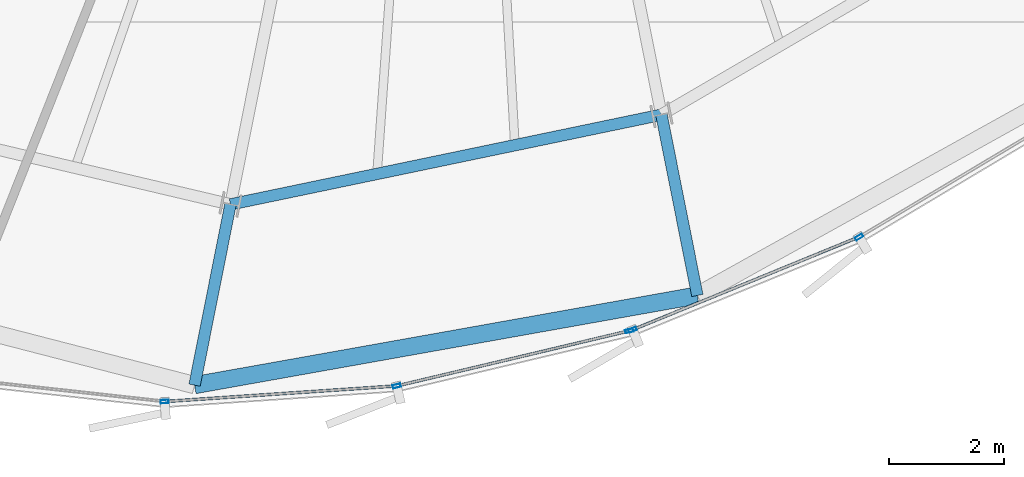
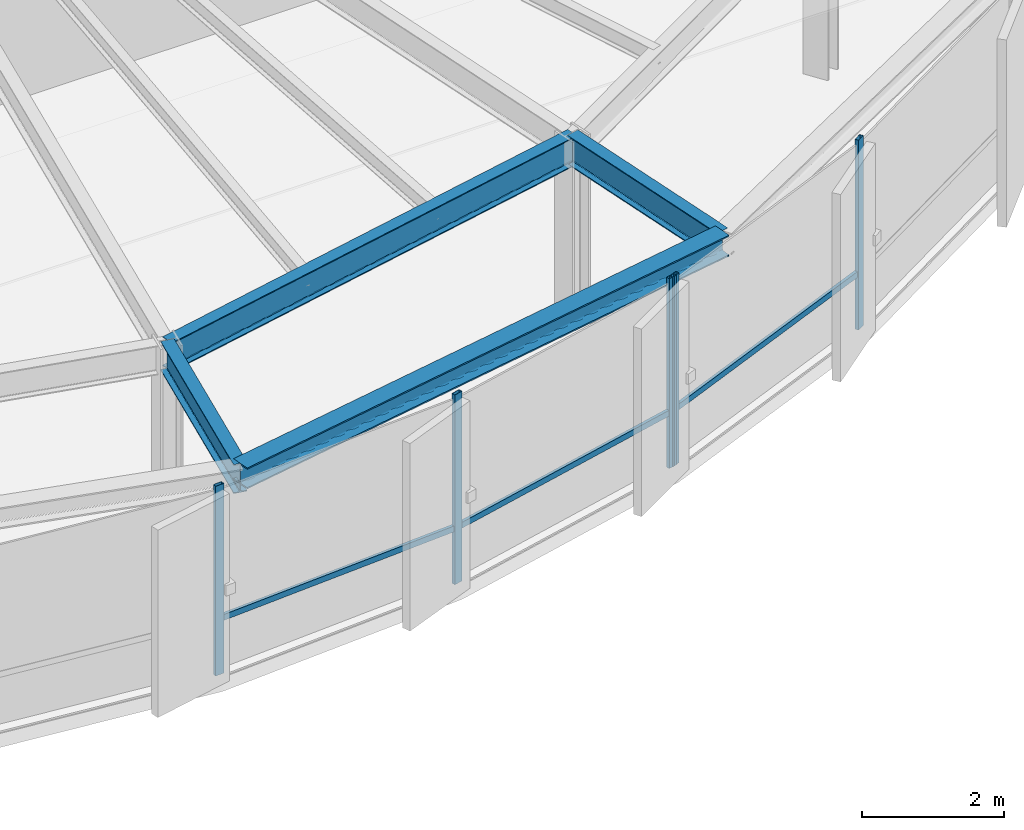
# One storey, part 6 of 34: 8 members, 4 beams, 2 elements without a shape of their own.
"""IFC4 building model written with IfcOpenShell, lengths in metres."""

from ifc_helpers import new_model, si_unit, direction, frame, origin, origin_2d, place, context, subcontext, project, spatial, hollow_rectangle, i_section, extrude, source, transform, mapped, material, layer, layer_set, material_profile, profile_set, type_object, element, aggregate, save


model = new_model("IFC4")

# Units and contexts
model_context = context("Model", 3, precision=1e-05, world=origin(), true_north=direction((0.0, 1.0)))
body_context = subcontext(model_context, "Body", "Model", "MODEL_VIEW")
ifc_project = project(units=[si_unit("LENGTHUNIT", "METRE"), si_unit("AREAUNIT", "SQUARE_METRE"), si_unit("VOLUMEUNIT", "CUBIC_METRE"), si_unit("PLANEANGLEUNIT", "RADIAN"), si_unit("MASSUNIT", "GRAM", prefix="KILO"), si_unit("THERMODYNAMICTEMPERATUREUNIT", "KELVIN")], contexts=[model_context])

# Site, building, storey
site_placement = place(None, origin())
site = spatial("IfcSite", under=ifc_project, at=site_placement, CompositionType="ELEMENT")
building_placement = place(site_placement, origin())
building = spatial("IfcBuilding", under=site, at=building_placement, Name="Kethvar Cultural Tower", CompositionType="ELEMENT")
storey_placement = place(building_placement, frame((0.0, 0.0, 207.89990234375)))
storey = spatial("IfcBuildingStorey", under=building, at=storey_placement, Name="L54", CompositionType="ELEMENT", Elevation=207.89990234375)

# Beams
ifc_material_1 = material(Name="Steel S355J2", Category="steel")
ifc_material_profile_1 = material_profile(ifc_material_1, i_section(OverallWidth=0.199951171875, OverallDepth=0.5, WebThickness=0.01025390625, FlangeThickness=0.01611328125, FilletRadius=0.02099609375, at=origin_2d()), Name="Steel S355J2 — IPE500")
ifc_profile_set_1 = profile_set([ifc_material_profile_1], Name="Steel S355J2 — IPE500")
beam_type_1 = type_object("IfcBeamType", Name="BM-IPE500", PredefinedType="BEAM", material=ifc_profile_set_1)
shared_shape_1 = source(origin(), body_context, "Body", "SweptSolid", [
    extrude(i_section(OverallWidth=0.199951171875, OverallDepth=0.5, WebThickness=0.01025390625, FlangeThickness=0.01611328125, FilletRadius=0.02099609375, at=origin_2d()), origin(), (0.0, 0.0, 1.0), 3.199951171875),
])
for number, where, z_axis, x_axis, name in (
    (1, (42.903564453125, 8.2109375, 3.008056640625), (-0.195088965533, -0.980785550224, 0.0), (0.980785550224, -0.195088965533, 0.0), "L54 Perimeter Cantilever Beam RC-12"),
    (2, (50.38671875, 9.7685546875, 3.008056640625), (0.195088965533, -0.980785550224, 0.0), (0.980785550224, 0.195088965533, 0.0), "L54 Perimeter Cantilever Beam RC-13"),
):
    element("IfcBeam", number, at=place(storey_placement, frame(where, z_axis=z_axis, x_axis=x_axis)), inside=storey, type_object=beam_type_1, Name=name, PredefinedType="BEAM", context=body_context, shape_type="MappedRepresentation", body=[
        mapped(shared_shape_1, transform((0.0, 0.0, 0.0), scale=1.0)),
    ])
shared_shape_2 = source(origin(), body_context, "Body", "SweptSolid", [
    extrude(i_section(OverallWidth=0.199951171875, OverallDepth=0.5, WebThickness=0.01025390625, FlangeThickness=0.01611328125, FilletRadius=0.02099609375, at=origin_2d()), origin(), (0.0, 0.0, 1.0), 7.6435546875),
])
beam_1_placement = place(storey_placement, frame((42.903564453125, 8.2109375, 3.008056640625), z_axis=(0.979016278161, 0.203782057834, 0.0), x_axis=(-0.203782057834, 0.979016278161, 0.0)))
element("IfcBeam", 3, at=beam_1_placement, inside=storey, type_object=beam_type_1, Name="L54 Column Ring Tie Beam CR-12", PredefinedType="BEAM", context=body_context, shape_type="MappedRepresentation", body=[
    mapped(shared_shape_2, transform((0.0, 0.0, 0.0), scale=1.0)),
])
ifc_material_profile_2 = material_profile(ifc_material_1, i_section(OverallWidth=0.300048828125, OverallDepth=0.360107421875, WebThickness=0.012451171875, FlangeThickness=0.0224609375, FilletRadius=0.027099609375, at=origin_2d()), Name="Steel S355J2 — HEB360")
ifc_profile_set_2 = profile_set([ifc_material_profile_2], Name="Steel S355J2 — HEB360")
beam_type_2 = type_object("IfcBeamType", Name="BM-SP360", PredefinedType="SPANDREL", material=ifc_profile_set_2)
shared_shape_3 = source(origin(), body_context, "Body", "SweptSolid", [
    extrude(i_section(OverallWidth=0.300048828125, OverallDepth=0.360107421875, WebThickness=0.012451171875, FlangeThickness=0.0224609375, FilletRadius=0.027099609375, at=origin_2d()), origin(), (0.0, 0.0, 1.0), 8.86962890625),
])
beam_2_placement = place(storey_placement, frame((42.279296875, 5.072509765625, 3.078125), z_axis=(0.984459032332, 0.175614389103, 0.0), x_axis=(-0.175614389103, 0.984459032332, 0.0)))
element("IfcBeam", 4, at=beam_2_placement, inside=storey, type_object=beam_type_2, Name="L54 Perimeter Spandrel Beam SP-12", PredefinedType="SPANDREL", context=body_context, shape_type="MappedRepresentation", body=[
    mapped(shared_shape_3, transform((0.0, 0.0, 0.0), scale=1.0)),
])

# Curtain wall, members
ifc_material_2 = material(Name="Aluminium 6063-T6", Category="aluminium")
ifc_layer = layer(ifc_material_2, 0.179931640625, Name="Aluminium 6063-T6", Category="aluminium")
ifc_layer_set = layer_set([ifc_layer], Name="Aluminium 6063-T6 (180 mm)")
curtain_wall_type = type_object("IfcCurtainWallType", Name="CW-SYS-04-Z34", PredefinedType="NOTDEFINED", material=ifc_layer_set)
curtain_wall_1_placement = place(storey_placement, origin())
curtain_wall_1 = element("IfcCurtainWall", 5, at=curtain_wall_1_placement, inside=storey, type_object=curtain_wall_type, Name="L54 Curtain Wall Run 04", PredefinedType="NOTDEFINED")
ifc_material_profile_3 = material_profile(ifc_material_2, hollow_rectangle(XDim=0.06005859375, YDim=0.139892578125, WallThickness=0.0048828125, at=origin_2d()), Name="Aluminium 6063-T6 — RHS140x60x5")
ifc_profile_set_3 = profile_set([ifc_material_profile_3], Name="Aluminium 6063-T6 — RHS140x60x5")
member_type_1 = type_object("IfcMemberType", Name="CW-SYS-04-Z34-MUL", PredefinedType="MULLION", material=ifc_profile_set_3)
shared_shape_4 = source(origin(), body_context, "Body", "SweptSolid", [
    extrude(hollow_rectangle(XDim=0.06005859375, YDim=0.139892578125, WallThickness=0.0048828125, at=origin_2d()), origin(), (0.0, 0.0, 1.0), 3.260009765625),
])
member_1_placement = place(storey_placement, frame((41.760986328125, 4.78759765625, 0.0), z_axis=(0.0, 0.0, 1.0), x_axis=(-0.06724910416, 0.997736216637, 0.0)))
member_1 = element("IfcMember", 6, at=member_1_placement, type_object=member_type_1, Name="CW-L54-R04 Mullion 5", PredefinedType="MULLION", context=body_context, shape_type="MappedRepresentation", body=[
    mapped(shared_shape_4, transform((0.0, 0.0, 0.0), scale=1.0)),
])
member_2_placement = place(storey_placement, frame((45.7900390625, 5.0576171875, 0.0), z_axis=(0.0, 0.0, 1.0), x_axis=(-0.230780034881, 0.973005948337, 0.0)))
member_2 = element("IfcMember", 7, at=member_2_placement, type_object=member_type_1, Name="CW-L54-R04 Mullion 6", PredefinedType="MULLION", context=body_context, shape_type="MappedRepresentation", body=[
    mapped(shared_shape_4, transform((0.0, 0.0, 0.0), scale=1.0)),
])
member_3_placement = place(storey_placement, frame((49.8291015625, 6.015625, 0.0), z_axis=(0.0, 0.0, 1.0), x_axis=(-0.230780034881, 0.973005948337, 0.0)))
member_3 = element("IfcMember", 8, at=member_3_placement, type_object=member_type_1, Name="CW-L54-R04 Mullion 7", PredefinedType="MULLION", context=body_context, shape_type="MappedRepresentation", body=[
    mapped(shared_shape_4, transform((0.0, 0.0, 0.0), scale=1.0)),
])

curtain_wall_2_placement = place(storey_placement, origin())
curtain_wall_2 = element("IfcCurtainWall", 9, at=curtain_wall_2_placement, inside=storey, type_object=curtain_wall_type, Name="L54 Curtain Wall Run 05", PredefinedType="NOTDEFINED")
member_4_placement = place(storey_placement, frame((49.88671875, 6.0341796875, 0.0), z_axis=(0.0, 0.0, 1.0), x_axis=(-0.379117026976, 0.925348734184, 0.0)))
member_4 = element("IfcMember", 10, at=member_4_placement, type_object=member_type_1, Name="CW-L54-R05 Mullion 1", PredefinedType="MULLION", context=body_context, shape_type="MappedRepresentation", body=[
    mapped(shared_shape_4, transform((0.0, 0.0, 0.0), scale=1.0)),
])
member_5_placement = place(storey_placement, frame((53.819091796875, 7.64404296875, 0.0), z_axis=(0.0, 0.0, 1.0), x_axis=(-0.512222753779, 0.858852636086, 0.0)))
member_5 = element("IfcMember", 11, at=member_5_placement, type_object=member_type_1, Name="CW-L54-R05 Mullion 2", PredefinedType="MULLION", context=body_context, shape_type="MappedRepresentation", body=[
    mapped(shared_shape_4, transform((0.0, 0.0, 0.0), scale=1.0)),
])
ifc_material_profile_4 = material_profile(ifc_material_2, hollow_rectangle(XDim=0.050048828125, YDim=0.10009765625, WallThickness=0.00390625, at=origin_2d()), Name="Aluminium 6063-T6 — RHS100x50x4")
ifc_profile_set_4 = profile_set([ifc_material_profile_4], Name="Aluminium 6063-T6 — RHS100x50x4")
member_type_2 = type_object("IfcMemberType", Name="CW-SYS-04-Z34-TRN", PredefinedType="USERDEFINED", material=ifc_profile_set_4)
shared_shape_5 = source(origin(), body_context, "Body", "SweptSolid", [
    extrude(hollow_rectangle(XDim=0.050048828125, YDim=0.10009765625, WallThickness=0.00390625, at=origin_2d()), origin(), (0.0, 0.0, 1.0), 4.218017578125),
])
member_6_placement = place(storey_placement, frame((49.890625, 6.035888671875, 0.9501953125), z_axis=(0.925346752681, 0.379121863393, 0.0), x_axis=(-0.379121863393, 0.925346752681, 0.0)))
member_6 = element("IfcMember", 12, at=member_6_placement, type_object=member_type_2, Name="CW-L54-R05 Transom 1", ObjectType="TRANSOM", PredefinedType="USERDEFINED", context=body_context, shape_type="MappedRepresentation", body=[
    mapped(shared_shape_5, transform((0.0, 0.0, 0.0), scale=1.0)),
])
aggregate(curtain_wall_2, [member_4, member_5, member_6])

# Member
shared_shape_6 = source(origin(), body_context, "Body", "SweptSolid", [
    extrude(hollow_rectangle(XDim=0.050048828125, YDim=0.10009765625, WallThickness=0.00390625, at=origin_2d()), origin(), (0.0, 0.0, 1.0), 4.103759765625),
])
member_7_placement = place(storey_placement, frame((45.83203125, 5.067626953125, 0.9501953125), z_axis=(0.973007560148, 0.23077323912, 0.0), x_axis=(-0.23077323912, 0.973007560148, 0.0)))
member_7 = element("IfcMember", 13, at=member_7_placement, type_object=member_type_2, Name="CW-L54-R04 Transom 6", ObjectType="TRANSOM", PredefinedType="USERDEFINED", context=body_context, shape_type="MappedRepresentation", body=[
    mapped(shared_shape_6, transform((0.0, 0.0, 0.0), scale=1.0)),
])

shared_shape_7 = source(origin(), body_context, "Body", "SweptSolid", [
    extrude(hollow_rectangle(XDim=0.050048828125, YDim=0.10009765625, WallThickness=0.00390625, at=origin_2d()), origin(), (0.0, 0.0, 1.0), 3.969970703125),
])
member_8_placement = place(storey_placement, frame((41.803955078125, 4.79052734375, 0.9501953125), z_axis=(0.997738382302, 0.067216965721, 0.0), x_axis=(-0.067216965721, 0.997738382302, 0.0)))
member_8 = element("IfcMember", 14, at=member_8_placement, type_object=member_type_2, Name="CW-L54-R04 Transom 5", ObjectType="TRANSOM", PredefinedType="USERDEFINED", context=body_context, shape_type="MappedRepresentation", body=[
    mapped(shared_shape_7, transform((0.0, 0.0, 0.0), scale=1.0)),
])

aggregate(curtain_wall_1, [member_1, member_2, member_3, member_8, member_7])

save(model, "model.ifc")
